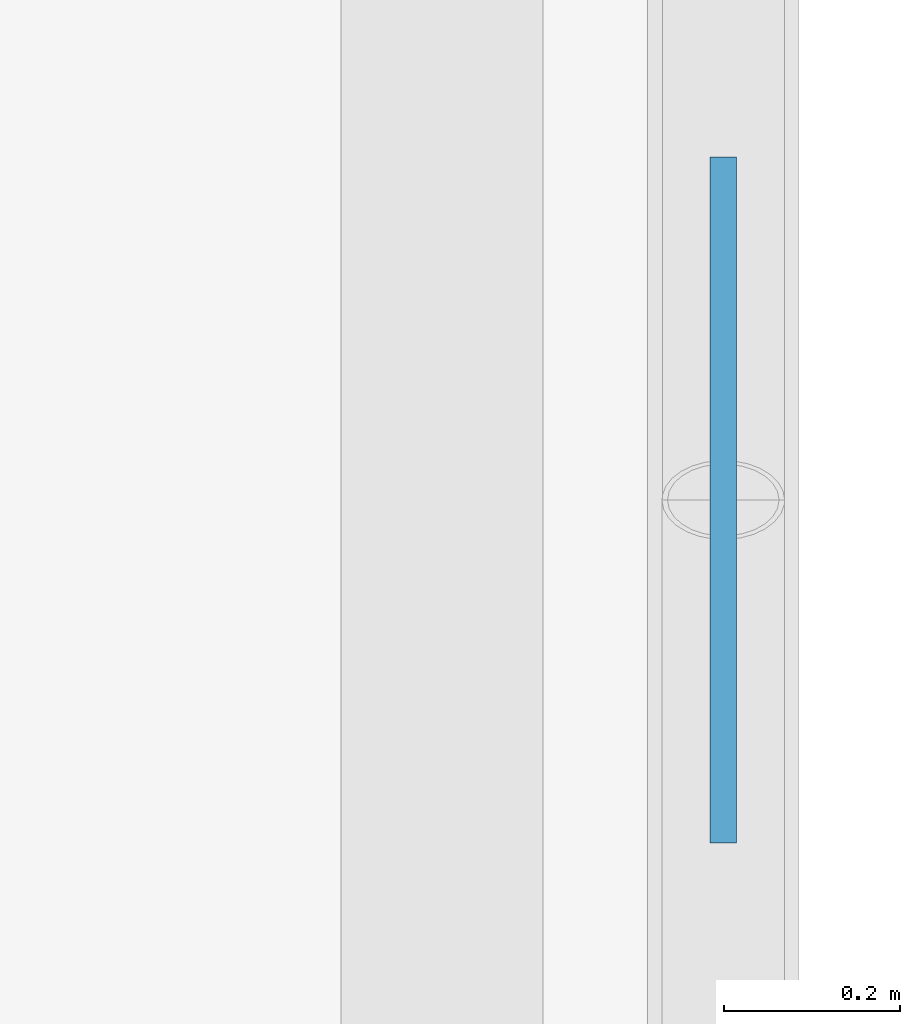
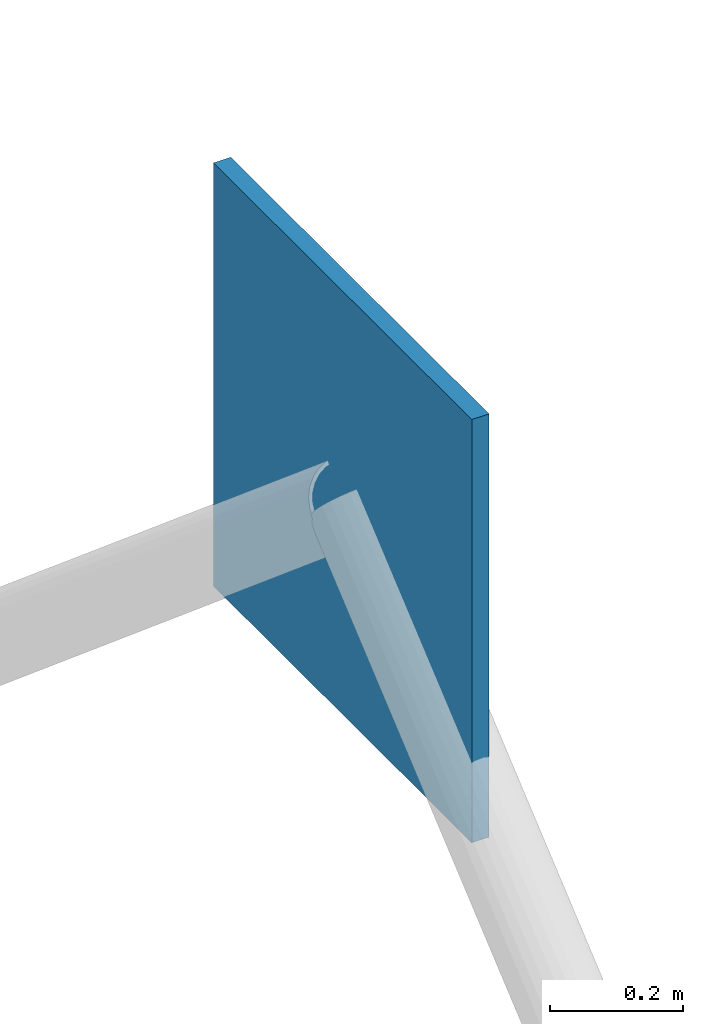
# One storey, part 58 of 85: 1 plate.
"""IFC4 building model written with IfcOpenShell, lengths in metres."""

from ifc_helpers import new_model, si_unit, direction, frame, origin, origin_2d, place, context, subcontext, project, spatial, rectangle, extrude, material, layer, layer_set, type_object, element, save


model = new_model("IFC4")

# Units and contexts
model_context = context("Model", 3, precision=1e-05, world=origin(), true_north=direction((0.0, 1.0)))
body_context = subcontext(model_context, "Body", "Model", "MODEL_VIEW")
ifc_project = project(units=[si_unit("LENGTHUNIT", "METRE"), si_unit("AREAUNIT", "SQUARE_METRE"), si_unit("VOLUMEUNIT", "CUBIC_METRE"), si_unit("PLANEANGLEUNIT", "RADIAN"), si_unit("MASSUNIT", "GRAM", prefix="KILO")], contexts=[model_context])

# Site, building, storey
site_placement = place(None, origin())
site = spatial("IfcSite", under=ifc_project, at=site_placement, CompositionType="ELEMENT")
building_placement = place(site_placement, origin())
building = spatial("IfcBuilding", under=site, at=building_placement, Name="Marnock Terrace Opera House", CompositionType="ELEMENT")
storey_placement = place(building_placement, frame((0.0, 0.0, 10.199951171875)))
storey = spatial("IfcBuildingStorey", under=building, at=storey_placement, Name="L02", CompositionType="ELEMENT", Elevation=10.199951171875)

# Plate
ifc_material = material(Name="Steel Grade 350 (AS/NZS 3679.1)", Category="steel")
ifc_layer = layer(ifc_material, 0.030029296875)
ifc_layer_set = layer_set([ifc_layer], Name="Steel Grade 350 (AS/NZS 3679.1)")
plate_type = type_object("IfcPlateType", Name="PLT-GUSSET-30", PredefinedType="SHEET", material=ifc_layer_set)
plate_placement = place(storey_placement, frame((164.0, 89.25, 3.490234375), z_axis=(0.0, 0.0, 1.0), x_axis=(0.0, 1.0, 0.0)))
element("IfcPlate", 1, at=plate_placement, inside=storey, type_object=plate_type, Name="L02 chevron brace gusset plate BN-8", PredefinedType="SHEET", context=body_context, shape_type="SweptSolid", body=[
    extrude(rectangle(XDim=0.780029296875, YDim=0.030029296875, at=origin_2d()), origin(), (0.0, 0.0, 1.0), 0.780029296875),
])

save(model, "model.ifc")
